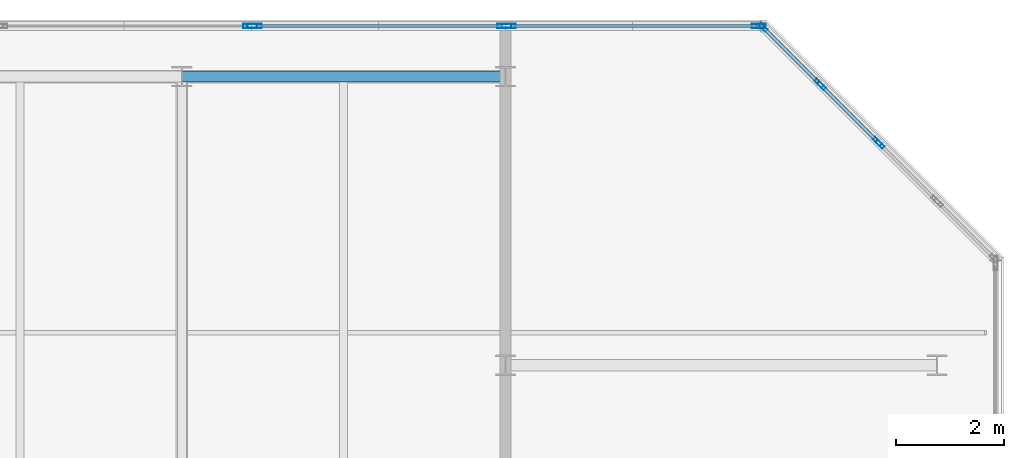
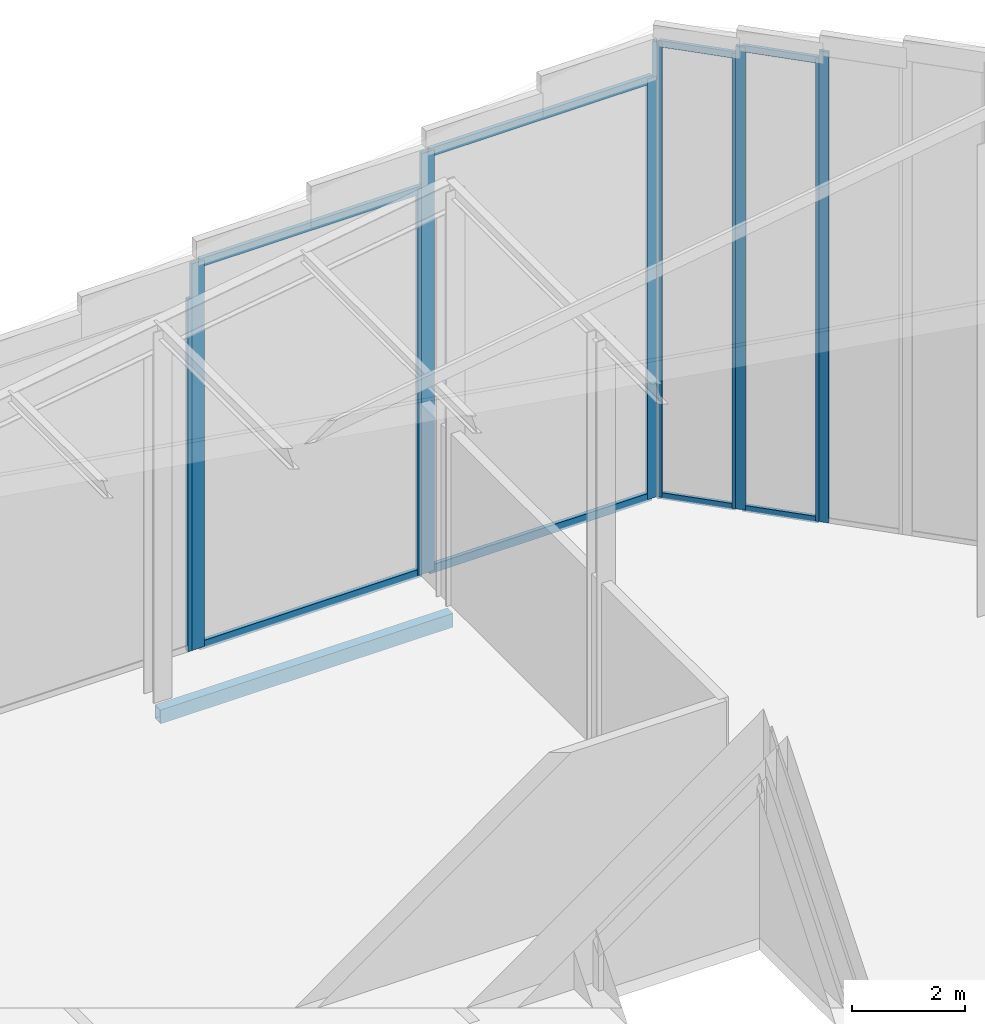
# One storey, part 21 of 30: 18 members, 1 beam, 6 elements without a shape of their own.
"""IFC4 building model written with IfcOpenShell, lengths in metres."""

from ifc_helpers import new_model, si_unit, direction, frame, origin, origin_2d, place, context, subcontext, project, spatial, hollow_rectangle, extrude, material, layer, layer_set, material_profile, profile_set, type_object, element, aggregate, save


model = new_model("IFC4")

# Units and contexts
model_context = context("Model", 3, precision=1e-05, world=origin(), true_north=direction((0.0, 1.0)))
body_context = subcontext(model_context, "Body", "Model", "MODEL_VIEW")
ifc_project = project(units=[si_unit("LENGTHUNIT", "METRE"), si_unit("AREAUNIT", "SQUARE_METRE"), si_unit("VOLUMEUNIT", "CUBIC_METRE"), si_unit("PLANEANGLEUNIT", "RADIAN"), si_unit("MASSUNIT", "GRAM", prefix="KILO")], contexts=[model_context])

# Site, building, storey
site_placement = place(None, origin())
site = spatial("IfcSite", under=ifc_project, at=site_placement, CompositionType="ELEMENT")
building_placement = place(site_placement, origin())
building = spatial("IfcBuilding", under=site, at=building_placement, Name="Tanjung Sevakor Pilgrim Tower", CompositionType="ELEMENT")
storey_placement = place(building_placement, frame((0.0, 0.0, 287.760009765625)))
storey = spatial("IfcBuildingStorey", under=building, at=storey_placement, Name="L80", CompositionType="ELEMENT", Elevation=287.760009765625)

# Beam
ifc_material_1 = material(Name="Steel S355J2", Category="steel")
ifc_material_profile_1 = material_profile(ifc_material_1, hollow_rectangle(XDim=0.199951171875, YDim=0.300048828125, WallThickness=0.012451171875, at=origin_2d()))
ifc_profile_set_1 = profile_set([ifc_material_profile_1], Name="Steel S355J2")
beam_type = type_object("IfcBeamType", Name="BM-B-SP3-RHS_300x200x12.5", PredefinedType="SPANDREL", material=ifc_profile_set_1)
beam_placement = place(storey_placement, frame((84.0, 53.949951171875, -0.409912109375), z_axis=(1.0, 0.0, 0.0), x_axis=(0.0, 1.0, 0.0)))
element("IfcBeam", 1, at=beam_placement, inside=storey, type_object=beam_type, Name="L80 Spandrel EAST N-06", PredefinedType="SPANDREL", context=body_context, shape_type="SweptSolid", body=[
    extrude(hollow_rectangle(XDim=0.199951171875, YDim=0.300048828125, WallThickness=0.012451171875, at=origin_2d()), origin(), (0.0, 0.0, 1.0), 6.0),
])

# Curtain wall, member
ifc_material_2 = material(Name="Aluminium 6063-T6 and Low-E Glass", Category="aluminium")
ifc_layer_1 = layer(ifc_material_2, 0.179931640625)
ifc_layer_set_1 = layer_set([ifc_layer_1], Name="CW-SYS-CHAM")
curtain_wall_type_1 = type_object("IfcCurtainWallType", Name="CW-SYS-CHAM", PredefinedType="NOTDEFINED", material=ifc_layer_set_1)
curtain_wall_1_placement = place(storey_placement, origin())
curtain_wall_1 = element("IfcCurtainWall", 2, at=curtain_wall_1_placement, inside=storey, type_object=curtain_wall_type_1, Name="L80 Curtain Wall CW-CHM-L80-EAST-3B2", PredefinedType="NOTDEFINED")
ifc_material_3 = material(Name="Aluminium 6063-T6", Category="aluminium")
ifc_material_profile_2 = material_profile(ifc_material_3, hollow_rectangle(XDim=0.06494140625, YDim=0.179931640625, WallThickness=0.00390625, at=origin_2d()))
ifc_profile_set_2 = profile_set([ifc_material_profile_2], Name="Aluminium 6063-T6")
member_type_1 = type_object("IfcMemberType", Name="TYPE-CWM-1", PredefinedType="MULLION", material=ifc_profile_set_2)
member_1_placement = place(storey_placement, frame((96.945068359375, 52.69921875, 0.0), z_axis=(0.0, 0.0, 1.0), x_axis=(-0.707106781187, -0.707106781187, 0.0)))
member_1 = element("IfcMember", 3, at=member_1_placement, type_object=member_type_1, Name="CW-CHM mullion 2", PredefinedType="MULLION", context=body_context, shape_type="SweptSolid", body=[
    extrude(hollow_rectangle(XDim=0.06494140625, YDim=0.179931640625, WallThickness=0.00390625, at=origin_2d()), origin(), (0.0, 0.0, 1.0), 10.2021484375),
])
aggregate(curtain_wall_1, [member_1])

# Curtain wall, members
curtain_wall_2_placement = place(storey_placement, origin())
curtain_wall_2 = element("IfcCurtainWall", 4, at=curtain_wall_2_placement, inside=storey, type_object=curtain_wall_type_1, Name="L80 Curtain Wall CW-CHM-L80-EAST-3B3", PredefinedType="NOTDEFINED")
member_2_placement = place(storey_placement, frame((96.899169921875, 52.7451171875, 0.0), z_axis=(0.0, 0.0, 1.0), x_axis=(-0.707106781187, -0.707106781187, 0.0)))
member_2 = element("IfcMember", 5, at=member_2_placement, type_object=member_type_1, Name="CW-CHM mullion 1", PredefinedType="MULLION", context=body_context, shape_type="SweptSolid", body=[
    extrude(hollow_rectangle(XDim=0.06494140625, YDim=0.179931640625, WallThickness=0.00390625, at=origin_2d()), origin(), (0.0, 0.0, 1.0), 10.03173828125),
])
member_3_placement = place(storey_placement, frame((95.861328125, 53.783203125, 0.0), z_axis=(0.0, 0.0, 1.0), x_axis=(-0.707106781187, -0.707106781187, 0.0)))
member_3 = element("IfcMember", 6, at=member_3_placement, type_object=member_type_1, Name="CW-CHM mullion 2", PredefinedType="MULLION", context=body_context, shape_type="SweptSolid", body=[
    extrude(hollow_rectangle(XDim=0.06494140625, YDim=0.179931640625, WallThickness=0.00390625, at=origin_2d()), origin(), (0.0, 0.0, 1.0), 10.03173828125),
])

curtain_wall_3_placement = place(storey_placement, origin())
curtain_wall_3 = element("IfcCurtainWall", 7, at=curtain_wall_3_placement, inside=storey, type_object=curtain_wall_type_1, Name="L80 Curtain Wall CW-CHM-L80-EAST-3B4", PredefinedType="NOTDEFINED")
member_4_placement = place(storey_placement, frame((95.8154296875, 53.8291015625, 0.0), z_axis=(0.0, 0.0, 1.0), x_axis=(-0.707106781187, -0.707106781187, 0.0)))
member_4 = element("IfcMember", 8, at=member_4_placement, type_object=member_type_1, Name="CW-CHM mullion 1", PredefinedType="MULLION", context=body_context, shape_type="SweptSolid", body=[
    extrude(hollow_rectangle(XDim=0.06494140625, YDim=0.179931640625, WallThickness=0.00390625, at=origin_2d()), origin(), (0.0, 0.0, 1.0), 9.861572265625),
])
member_5_placement = place(storey_placement, frame((94.77734375, 54.866943359375, 0.0), z_axis=(0.0, 0.0, 1.0), x_axis=(-0.707106781187, -0.707106781187, 0.0)))
member_5 = element("IfcMember", 9, at=member_5_placement, type_object=member_type_1, Name="CW-CHM mullion 2", PredefinedType="MULLION", context=body_context, shape_type="SweptSolid", body=[
    extrude(hollow_rectangle(XDim=0.06494140625, YDim=0.179931640625, WallThickness=0.00390625, at=origin_2d()), origin(), (0.0, 0.0, 1.0), 9.861572265625),
])

ifc_material_4 = material(Name="Aluminium 6063-T6 and Low-E Glass", Category="aluminium")
ifc_layer_2 = layer(ifc_material_4, 0.219970703125)
ifc_layer_set_2 = layer_set([ifc_layer_2], Name="CW-SYS-CRNE")
curtain_wall_type_2 = type_object("IfcCurtainWallType", Name="CW-SYS-CRNE", PredefinedType="NOTDEFINED", material=ifc_layer_set_2)
curtain_wall_4_placement = place(storey_placement, origin())
curtain_wall_4 = element("IfcCurtainWall", 10, at=curtain_wall_4_placement, inside=storey, type_object=curtain_wall_type_2, Name="L80 Curtain Wall CW-CRN-L80-EAST-4-1B1", PredefinedType="NOTDEFINED")
ifc_material_5 = material(Name="Aluminium 6063-T6", Category="aluminium")
ifc_material_profile_3 = material_profile(ifc_material_5, hollow_rectangle(XDim=0.080078125, YDim=0.260009765625, WallThickness=0.0048828125, at=origin_2d()))
ifc_profile_set_3 = profile_set([ifc_material_profile_3], Name="Aluminium 6063-T6")
member_type_2 = type_object("IfcMemberType", Name="TYPE-CWM-3", PredefinedType="MULLION", material=ifc_profile_set_3)
member_6_placement = place(storey_placement, frame((94.6943359375, 54.889892578125, 0.0), z_axis=(0.0, 0.0, 1.0), x_axis=(0.0, -1.0, 0.0)))
member_6 = element("IfcMember", 11, at=member_6_placement, type_object=member_type_2, Name="CW-CRE mullion 1", PredefinedType="MULLION", context=body_context, shape_type="SweptSolid", body=[
    extrude(hollow_rectangle(XDim=0.080078125, YDim=0.260009765625, WallThickness=0.0048828125, at=origin_2d()), origin(), (0.0, 0.0, 1.0), 9.11767578125),
])
member_7_placement = place(storey_placement, frame((90.060546875, 54.889892578125, 0.0), z_axis=(0.0, 0.0, 1.0), x_axis=(0.0, -1.0, 0.0)))
member_7 = element("IfcMember", 12, at=member_7_placement, type_object=member_type_2, Name="CW-CRE mullion 2", PredefinedType="MULLION", context=body_context, shape_type="SweptSolid", body=[
    extrude(hollow_rectangle(XDim=0.080078125, YDim=0.260009765625, WallThickness=0.0048828125, at=origin_2d()), origin(), (0.0, 0.0, 1.0), 9.11767578125),
])

curtain_wall_5_placement = place(storey_placement, origin())
curtain_wall_5 = element("IfcCurtainWall", 13, at=curtain_wall_5_placement, inside=storey, type_object=curtain_wall_type_2, Name="L80 Curtain Wall CW-CRN-L80-EAST-4-1B2", PredefinedType="NOTDEFINED")
member_8_placement = place(storey_placement, frame((89.980712890625, 54.889892578125, 0.0), z_axis=(0.0, 0.0, 1.0), x_axis=(0.0, -1.0, 0.0)))
member_8 = element("IfcMember", 14, at=member_8_placement, type_object=member_type_2, Name="CW-CRE mullion 1", PredefinedType="MULLION", context=body_context, shape_type="SweptSolid", body=[
    extrude(hollow_rectangle(XDim=0.080078125, YDim=0.260009765625, WallThickness=0.0048828125, at=origin_2d()), origin(), (0.0, 0.0, 1.0), 8.377197265625),
])
member_9_placement = place(storey_placement, frame((85.346923828125, 54.889892578125, 0.0), z_axis=(0.0, 0.0, 1.0), x_axis=(0.0, -1.0, 0.0)))
member_9 = element("IfcMember", 15, at=member_9_placement, type_object=member_type_2, Name="CW-CRE mullion 2", PredefinedType="MULLION", context=body_context, shape_type="SweptSolid", body=[
    extrude(hollow_rectangle(XDim=0.080078125, YDim=0.260009765625, WallThickness=0.0048828125, at=origin_2d()), origin(), (0.0, 0.0, 1.0), 8.377197265625),
])

# Curtain wall, member
curtain_wall_6_placement = place(storey_placement, origin())
curtain_wall_6 = element("IfcCurtainWall", 16, at=curtain_wall_6_placement, inside=storey, type_object=curtain_wall_type_2, Name="L80 Curtain Wall CW-CRN-L80-EAST-4-1B3", PredefinedType="NOTDEFINED")
member_10_placement = place(storey_placement, frame((85.266845703125, 54.889892578125, 0.0), z_axis=(0.0, 0.0, 1.0), x_axis=(0.0, -1.0, 0.0)))
member_10 = element("IfcMember", 17, at=member_10_placement, type_object=member_type_2, Name="CW-CRE mullion 1", PredefinedType="MULLION", context=body_context, shape_type="SweptSolid", body=[
    extrude(hollow_rectangle(XDim=0.080078125, YDim=0.260009765625, WallThickness=0.0048828125, at=origin_2d()), origin(), (0.0, 0.0, 1.0), 7.636474609375),
])
aggregate(curtain_wall_6, [member_10])

# Member
ifc_material_6 = material(Name="Aluminium 6063-T6", Category="aluminium")
ifc_material_profile_4 = material_profile(ifc_material_6, hollow_rectangle(XDim=0.06494140625, YDim=0.139892578125, WallThickness=0.00390625, at=origin_2d()))
ifc_profile_set_4 = profile_set([ifc_material_profile_4], Name="Aluminium 6063-T6")
member_type_3 = type_object("IfcMemberType", Name="TYPE-CWT-1", PredefinedType="USERDEFINED", material=ifc_profile_set_4)
member_11_placement = place(storey_placement, frame((96.876220703125, 52.76806640625, 0.032470703125), z_axis=(-0.707019768724, 0.707193782943, 0.0), x_axis=(-0.707193782943, -0.707019768724, 0.0)))
member_11 = element("IfcMember", 18, at=member_11_placement, type_object=member_type_3, Name="CW-CHM transom 1.1", ObjectType="TRANSOM", PredefinedType="USERDEFINED", context=body_context, shape_type="SweptSolid", body=[
    extrude(hollow_rectangle(XDim=0.06494140625, YDim=0.139892578125, WallThickness=0.00390625, at=origin_2d()), origin(), (0.0, 0.0, 1.0), 1.403076171875),
])

member_12_placement = place(storey_placement, frame((96.876220703125, 52.76806640625, 9.999267578125), z_axis=(-0.707019768724, 0.707193782943, 0.0), x_axis=(-0.707193782943, -0.707019768724, 0.0)))
member_12 = element("IfcMember", 19, at=member_12_placement, type_object=member_type_3, Name="CW-CHM transom 1.2", ObjectType="TRANSOM", PredefinedType="USERDEFINED", context=body_context, shape_type="SweptSolid", body=[
    extrude(hollow_rectangle(XDim=0.06494140625, YDim=0.139892578125, WallThickness=0.00390625, at=origin_2d()), origin(), (0.0, 0.0, 1.0), 1.403076171875),
])

aggregate(curtain_wall_2, [member_2, member_3, member_11, member_12])

member_13_placement = place(storey_placement, frame((95.792236328125, 53.85205078125, 0.032470703125), z_axis=(-0.707106781187, 0.707106781187, 0.0), x_axis=(-0.707106781187, -0.707106781187, 0.0)))
member_13 = element("IfcMember", 20, at=member_13_placement, type_object=member_type_3, Name="CW-CHM transom 1.1", ObjectType="TRANSOM", PredefinedType="USERDEFINED", context=body_context, shape_type="SweptSolid", body=[
    extrude(hollow_rectangle(XDim=0.06494140625, YDim=0.139892578125, WallThickness=0.00390625, at=origin_2d()), origin(), (0.0, 0.0, 1.0), 1.40283203125),
])

member_14_placement = place(storey_placement, frame((95.792236328125, 53.85205078125, 9.8291015625), z_axis=(-0.707106781187, 0.707106781187, 0.0), x_axis=(-0.707106781187, -0.707106781187, 0.0)))
member_14 = element("IfcMember", 21, at=member_14_placement, type_object=member_type_3, Name="CW-CHM transom 1.2", ObjectType="TRANSOM", PredefinedType="USERDEFINED", context=body_context, shape_type="SweptSolid", body=[
    extrude(hollow_rectangle(XDim=0.06494140625, YDim=0.139892578125, WallThickness=0.00390625, at=origin_2d()), origin(), (0.0, 0.0, 1.0), 1.40283203125),
])

aggregate(curtain_wall_3, [member_4, member_5, member_13, member_14])

ifc_material_7 = material(Name="Aluminium 6063-T6", Category="aluminium")
ifc_material_profile_5 = material_profile(ifc_material_7, hollow_rectangle(XDim=0.080078125, YDim=0.179931640625, WallThickness=0.0048828125, at=origin_2d()))
ifc_profile_set_5 = profile_set([ifc_material_profile_5], Name="Aluminium 6063-T6")
member_type_4 = type_object("IfcMemberType", Name="TYPE-CWT-3", PredefinedType="USERDEFINED", material=ifc_profile_set_5)
member_15_placement = place(storey_placement, frame((94.654296875, 54.889892578125, 0.0400390625), z_axis=(-1.0, 0.0, 0.0), x_axis=(0.0, -1.0, 0.0)))
member_15 = element("IfcMember", 22, at=member_15_placement, type_object=member_type_4, Name="CW-CRE transom 1.1", ObjectType="TRANSOM", PredefinedType="USERDEFINED", context=body_context, shape_type="SweptSolid", body=[
    extrude(hollow_rectangle(XDim=0.080078125, YDim=0.179931640625, WallThickness=0.0048828125, at=origin_2d()), origin(), (0.0, 0.0, 1.0), 4.5537109375),
])

member_16_placement = place(storey_placement, frame((94.654296875, 54.889892578125, 9.077880859375), z_axis=(-1.0, 0.0, 0.0), x_axis=(0.0, -1.0, 0.0)))
member_16 = element("IfcMember", 23, at=member_16_placement, type_object=member_type_4, Name="CW-CRE transom 1.2", ObjectType="TRANSOM", PredefinedType="USERDEFINED", context=body_context, shape_type="SweptSolid", body=[
    extrude(hollow_rectangle(XDim=0.080078125, YDim=0.179931640625, WallThickness=0.0048828125, at=origin_2d()), origin(), (0.0, 0.0, 1.0), 4.5537109375),
])

aggregate(curtain_wall_4, [member_6, member_7, member_15, member_16])

member_17_placement = place(storey_placement, frame((89.940673828125, 54.889892578125, 0.0400390625), z_axis=(-1.0, 0.0, 0.0), x_axis=(0.0, -1.0, 0.0)))
member_17 = element("IfcMember", 24, at=member_17_placement, type_object=member_type_4, Name="CW-CRE transom 1.1", ObjectType="TRANSOM", PredefinedType="USERDEFINED", context=body_context, shape_type="SweptSolid", body=[
    extrude(hollow_rectangle(XDim=0.080078125, YDim=0.179931640625, WallThickness=0.0048828125, at=origin_2d()), origin(), (0.0, 0.0, 1.0), 4.5537109375),
])

member_18_placement = place(storey_placement, frame((89.940673828125, 54.889892578125, 8.337158203125), z_axis=(-1.0, 0.0, 0.0), x_axis=(0.0, -1.0, 0.0)))
member_18 = element("IfcMember", 25, at=member_18_placement, type_object=member_type_4, Name="CW-CRE transom 1.2", ObjectType="TRANSOM", PredefinedType="USERDEFINED", context=body_context, shape_type="SweptSolid", body=[
    extrude(hollow_rectangle(XDim=0.080078125, YDim=0.179931640625, WallThickness=0.0048828125, at=origin_2d()), origin(), (0.0, 0.0, 1.0), 4.5537109375),
])

aggregate(curtain_wall_5, [member_8, member_9, member_17, member_18])

save(model, "model.ifc")
